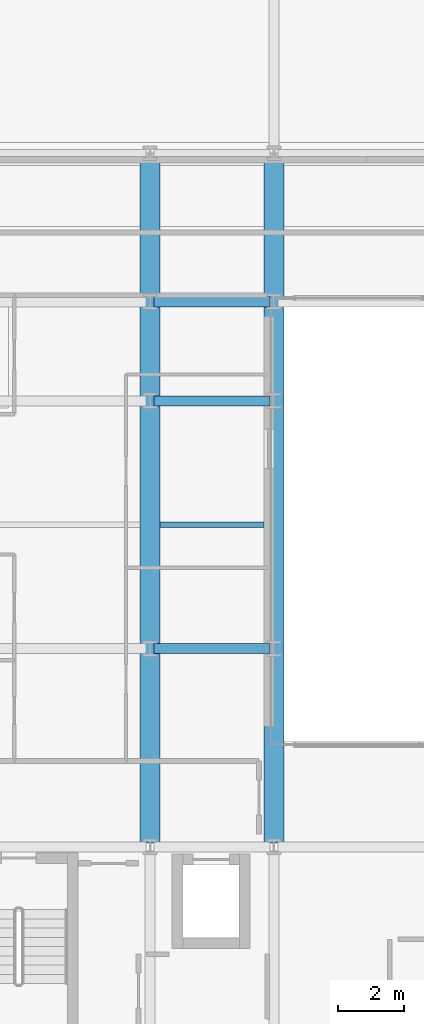
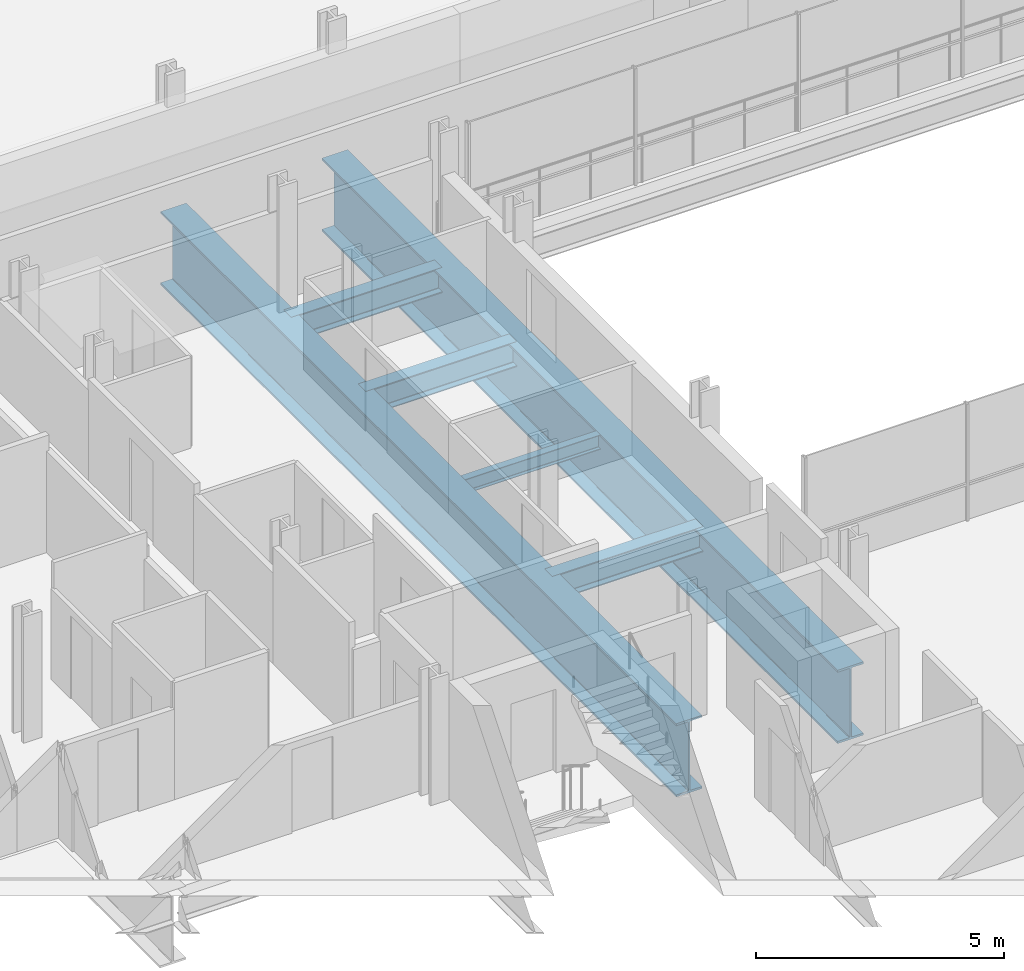
# One storey, part 8 of 38: 6 beams.
"""IFC4 building model written with IfcOpenShell, lengths in metres."""

from ifc_helpers import new_model, si_unit, direction, frame, origin, origin_2d, place, context, subcontext, project, spatial, i_section, extrude, material, material_profile, profile_set, type_object, element, save


model = new_model("IFC4")

# Units and contexts
model_context = context("Model", 3, precision=1e-05, world=origin(), true_north=direction((0.0, 1.0)))
body_context = subcontext(model_context, "Body", "Model", "MODEL_VIEW")
ifc_project = project(units=[si_unit("LENGTHUNIT", "METRE"), si_unit("AREAUNIT", "SQUARE_METRE"), si_unit("VOLUMEUNIT", "CUBIC_METRE"), si_unit("PLANEANGLEUNIT", "RADIAN"), si_unit("MASSUNIT", "GRAM", prefix="KILO")], contexts=[model_context])

# Site, building, storey
site_placement = place(None, origin())
site = spatial("IfcSite", under=ifc_project, at=site_placement, CompositionType="ELEMENT")
building_placement = place(site_placement, origin())
building = spatial("IfcBuilding", under=site, at=building_placement, Name="Brevholm Reach", CompositionType="ELEMENT")
storey_placement = place(building_placement, frame((0.0, 0.0, 28.0)))
storey = spatial("IfcBuildingStorey", under=building, at=storey_placement, Name="L06", CompositionType="ELEMENT", Elevation=28.0)

# Beams
ifc_material_1 = material(Name="Structural Steel S355J2", Category="steel")
ifc_material_profile_1 = material_profile(ifc_material_1, i_section(OverallWidth=0.17138671875, OverallDepth=0.35498046875, WebThickness=0.00732421875, FlangeThickness=0.011474609375, FilletRadius=0.01025390625, at=origin_2d()), Name="UKB 356x171x51")
ifc_profile_set_1 = profile_set([ifc_material_profile_1], Name="Structural Steel S355J2")
beam_type_1 = type_object("IfcBeamType", Name="BM-B356", PredefinedType="BEAM", material=ifc_profile_set_1)
beam_placement = place(storey_placement, frame((18.300048828125, 19.75, -0.447509765625), z_axis=(1.0, 0.0, 0.0), x_axis=(0.0, 1.0, 0.0)))
element("IfcBeam", 1, at=beam_placement, inside=storey, type_object=beam_type_1, Name="L06 Composite Secondary Floor Beam", PredefinedType="BEAM", context=body_context, shape_type="SweptSolid", body=[
    extrude(i_section(OverallWidth=0.17138671875, OverallDepth=0.35498046875, WebThickness=0.00732421875, FlangeThickness=0.011474609375, FilletRadius=0.01025390625, at=origin_2d()), origin(), (0.0, 0.0, 1.0), 3.14990234375),
])
ifc_material_2 = material(Name="Structural Steel S460ML", Category="steel")
ifc_material_profile_2 = material_profile(ifc_material_2, i_section(OverallWidth=0.60009765625, OverallDepth=1.800048828125, WebThickness=0.034912109375, FlangeThickness=0.050048828125, FilletRadius=0.02392578125, at=origin_2d()), Name="PG 1800x600x50")
ifc_profile_set_2 = profile_set([ifc_material_profile_2], Name="Structural Steel S460ML")
beam_type_2 = type_object("IfcBeamType", Name="BM-PG1800", PredefinedType="USERDEFINED", material=ifc_profile_set_2)
for number, where, z_axis, x_axis, name in (
    (2, (18.0, 10.1201171875, -1.169921875), (0.0, 1.0, 0.0), (-1.0, 0.0, 0.0), "L06 TG-01 Framing Beam"),
    (3, (21.75, 10.1201171875, -1.169921875), (0.0, 1.0, 0.0), (-1.0, 0.0, 0.0), "L06 TG-01 Framing Beam"),
):
    element("IfcBeam", number, at=place(storey_placement, frame(where, z_axis=z_axis, x_axis=x_axis)), inside=storey, type_object=beam_type_2, Name=name, ObjectType="GIRDER", PredefinedType="USERDEFINED", context=body_context, shape_type="SweptSolid", body=[
        extrude(i_section(OverallWidth=0.60009765625, OverallDepth=1.800048828125, WebThickness=0.034912109375, FlangeThickness=0.050048828125, FilletRadius=0.02392578125, at=origin_2d()), origin(), (0.0, 0.0, 1.0), 20.759765625),
    ])
ifc_material_3 = material(Name="Structural Steel S355J2", Category="steel")
ifc_material_profile_3 = material_profile(ifc_material_3, i_section(OverallWidth=0.30712890625, OverallDepth=0.6201171875, WebThickness=0.01416015625, FlangeThickness=0.023681640625, FilletRadius=0.0166015625, at=origin_2d()), Name="UKB 610x305x179")
ifc_profile_set_3 = profile_set([ifc_material_profile_3], Name="Structural Steel S355J2")
beam_type_3 = type_object("IfcBeamType", Name="BM-UKB610H", PredefinedType="USERDEFINED", material=ifc_profile_set_3)
for number, where, z_axis, x_axis, name in (
    (4, (18.1201171875, 16.0, -0.580078125), (1.0, 0.0, 0.0), (0.0, 1.0, 0.0), "L06 G-06 Framing Beam"),
    (5, (18.1201171875, 23.5, -0.580078125), (1.0, 0.0, 0.0), (0.0, 1.0, 0.0), "L06 G-06 Framing Beam"),
    (6, (18.1201171875, 26.5, -0.580078125), (1.0, 0.0, 0.0), (0.0, 1.0, 0.0), "L06 G-06 Framing Beam"),
):
    element("IfcBeam", number, at=place(storey_placement, frame(where, z_axis=z_axis, x_axis=x_axis)), inside=storey, type_object=beam_type_3, Name=name, ObjectType="GIRDER", PredefinedType="USERDEFINED", context=body_context, shape_type="SweptSolid", body=[
        extrude(i_section(OverallWidth=0.30712890625, OverallDepth=0.6201171875, WebThickness=0.01416015625, FlangeThickness=0.023681640625, FilletRadius=0.0166015625, at=origin_2d()), origin(), (0.0, 0.0, 1.0), 3.509765625),
    ])

save(model, "model.ifc")
